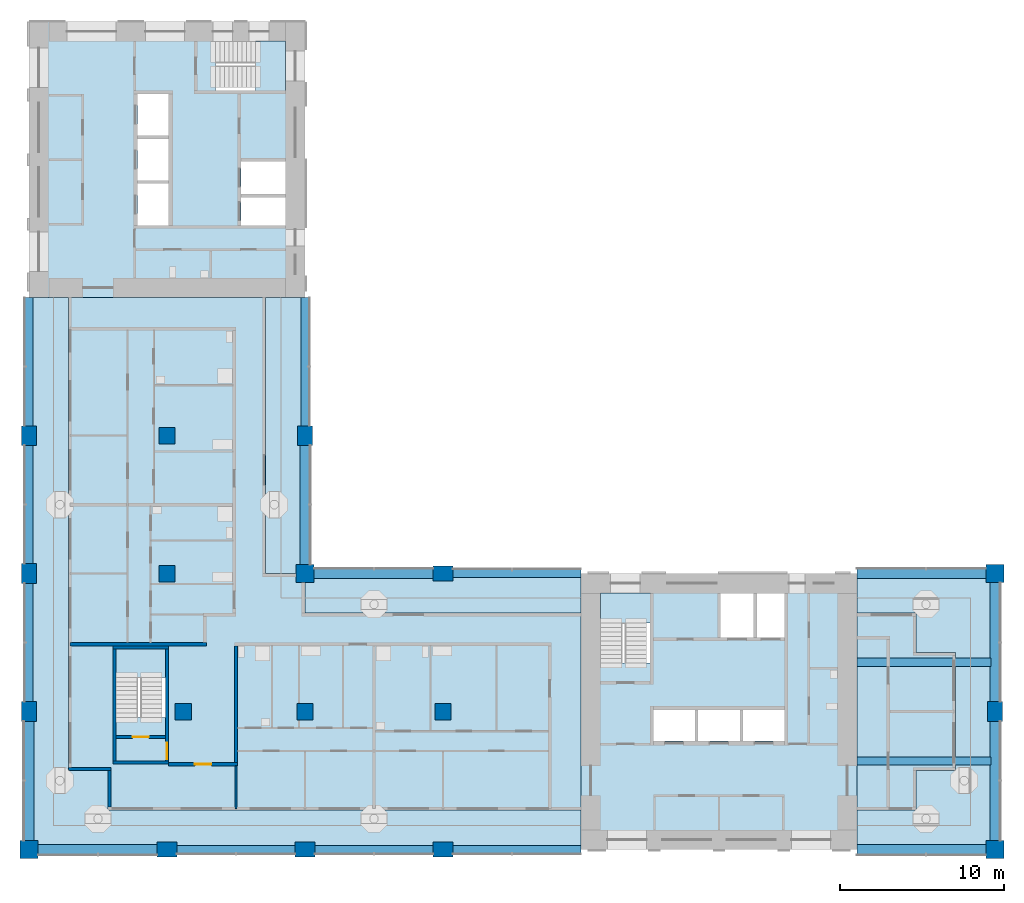
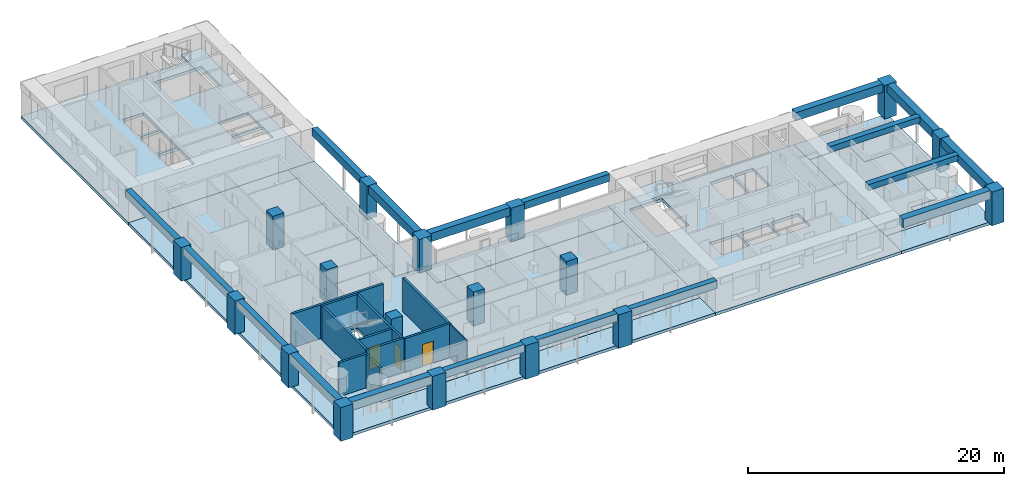
# One storey, part 1 of 13: 18 beams, 18 columns, 12 slabs, 11 walls, 3 doors, 3 openings, 3 elements without a shape of their own.
"""IFC4 building model written with IfcOpenShell, lengths in metres."""

import ifcopenshell
import ifcopenshell.guid

model = None  # the IFC model being written
_history = None  # IfcOwnerHistory: only IFC2X3 demands one
_inside = {}  # id of a spatial element -> (the spatial element, [elements in it])
_under = {}  # id of a project, library or spatial element -> (it, [spatial elements below it])
_declared = {}  # id of a project -> (the project, [libraries it declares])
_typed = {}  # id of a type object -> (the type object, [elements of that type])
_made_of = {}  # id of a material, layer set ... -> (it, [elements and type objects made of it])


def new_model(schema):
    """Start an empty IFC model of exactly this schema.

    Asked for "IFC4X3", IfcOpenShell would pick the latest addendum, in which some entities
    have other attributes; the version numbers below select the first issue.
    IFC2X3 requires an IfcOwnerHistory on every rooted entity: one is made here for all.
    """
    global model, _history
    if schema == "IFC4X3":
        model = ifcopenshell.file(schema_version=(4, 3, 0, 0))
    else:
        model = ifcopenshell.file(schema=schema)
    _inside.clear()
    _under.clear()
    _declared.clear()
    _typed.clear()
    _made_of.clear()
    _history = None
    if model.schema == "IFC2X3":
        org = make("IfcOrganization", Name="unknown")
        user = make(
            "IfcPersonAndOrganization",
            ThePerson=make("IfcPerson", FamilyName="unknown"),
            TheOrganization=org,
        )
        app = make(
            "IfcApplication",
            ApplicationDeveloper=org,
            Version="unknown",
            ApplicationFullName="unknown",
            ApplicationIdentifier="unknown",
        )
        _history = make(
            "IfcOwnerHistory",
            OwningUser=user,
            OwningApplication=app,
            ChangeAction="ADDED",
            CreationDate=0,
        )
    return model


def make(cls, **values):
    """One entity of the class cls with the attributes given. An attribute that is None is left unset."""
    return model.create_entity(
        cls, **{name: value for name, value in values.items() if value is not None}
    )


def rooted(cls, **values):
    """An entity with a GlobalId (a new one), such as an element, a storey or a relation."""
    return make(cls, GlobalId=ifcopenshell.guid.new(), OwnerHistory=_history, **values)


def si_unit(unit_type, name, prefix=None):
    """IfcSIUnit, for example si_unit("LENGTHUNIT", "METRE", prefix="MILLI")."""
    return make("IfcSIUnit", UnitType=unit_type, Prefix=prefix, Name=name)


def assignment(units):
    """IfcUnitAssignment: the units of a project."""
    return None if units is None else make("IfcUnitAssignment", Units=units)


def point(xyz):
    """IfcCartesianPoint."""
    return None if xyz is None else make("IfcCartesianPoint", Coordinates=xyz)


def direction(xyz):
    """IfcDirection."""
    return None if xyz is None else make("IfcDirection", DirectionRatios=xyz)


def frame(location, z_axis=None, x_axis=None):
    """IfcAxis2Placement3D, a coordinate frame: its origin and axes. An axis left out is left unset."""
    return make(
        "IfcAxis2Placement3D",
        Location=point(location),
        Axis=direction(z_axis),
        RefDirection=direction(x_axis),
    )


def frame_2d(location, x_axis=None):
    """IfcAxis2Placement2D, a coordinate frame in the plane: its origin and x axis."""
    return make(
        "IfcAxis2Placement2D", Location=point(location), RefDirection=direction(x_axis)
    )


def origin():
    """The frame at (0, 0, 0) with its axes left unset."""
    return frame((0.0, 0.0, 0.0))


def origin_2d():
    """The frame at (0, 0) in the plane with its x axis left unset."""
    return frame_2d((0.0, 0.0))


def place(relative_to, where):
    """IfcLocalPlacement: puts the frame where relative to a parent placement (None: the world)."""
    return make(
        "IfcLocalPlacement", PlacementRelTo=relative_to, RelativePlacement=where
    )


def context(
    kind, dimensions, precision=None, world=None, true_north=None, identifier=None
):
    """IfcGeometricRepresentationContext, for example the 3D "Model" context."""
    return make(
        "IfcGeometricRepresentationContext",
        ContextIdentifier=identifier,
        ContextType=kind,
        CoordinateSpaceDimension=dimensions,
        Precision=precision,
        WorldCoordinateSystem=world,
        TrueNorth=true_north,
    )


def subcontext(parent, identifier, kind, view, scale=None):
    """IfcGeometricRepresentationSubContext, for example "Body" below "Model"."""
    return make(
        "IfcGeometricRepresentationSubContext",
        ContextIdentifier=identifier,
        ContextType=kind,
        ParentContext=parent,
        TargetScale=scale,
        TargetView=view,
    )


def project(units=None, contexts=None):
    """IfcProject with its units and contexts."""
    return rooted(
        "IfcProject",
        Name="project",
        RepresentationContexts=contexts,
        UnitsInContext=assignment(units),
    )


def spatial(cls, under=None, at=None, **own):
    """A site, building, storey or space (cls), placed at a placement, below another one or the project."""
    s = rooted(cls, ObjectPlacement=at, **own)
    if under is not None:
        _under.setdefault(under.id(), (under, []))[1].append(s)
    return s


def polyline(points):
    """IfcPolyline through the points."""
    return make("IfcPolyline", Points=[point(p) for p in points])


def profile(cls, at=None, kind="AREA", **sizes):
    """A parametric profile (cls). Its sizes go by their IFC names, for example OverallWidth=200.0."""
    return make(cls, ProfileType=kind, Position=at, **sizes)


def rectangle(**sizes):
    """IfcRectangleProfileDef."""
    return profile("IfcRectangleProfileDef", **sizes)


def outline(outer, holes=None, kind="AREA"):
    """IfcArbitraryClosedProfileDef: a profile drawn as a closed curve; with holes, ...WithVoids."""
    if holes is None:
        return make("IfcArbitraryClosedProfileDef", ProfileType=kind, OuterCurve=outer)
    return make(
        "IfcArbitraryProfileDefWithVoids",
        ProfileType=kind,
        OuterCurve=outer,
        InnerCurves=holes,
    )


def extrude(swept, where, along, depth):
    """IfcExtrudedAreaSolid: the profile swept, set in the frame where, extruded along a direction by depth."""
    return make(
        "IfcExtrudedAreaSolid",
        SweptArea=swept,
        Position=where,
        ExtrudedDirection=direction(along),
        Depth=depth,
    )


def shape(context_of_items, identifier, shape_type, items):
    """IfcShapeRepresentation: the items that make up one representation, for example the "Body"."""
    return make(
        "IfcShapeRepresentation",
        ContextOfItems=context_of_items,
        RepresentationIdentifier=identifier,
        RepresentationType=shape_type,
        Items=items,
    )


def material(Name=None, Category=None):
    """IfcMaterial."""
    return make("IfcMaterial", Name=Name, Category=Category)


def layer(
    of_material, thickness, ventilated=None, Name=None, Category=None, Priority=None
):
    """IfcMaterialLayer: one layer of a wall or slab, of a material (None: an air gap)."""
    return make(
        "IfcMaterialLayer",
        Material=of_material,
        LayerThickness=thickness,
        IsVentilated=ventilated,
        Name=Name,
        Category=Category,
        Priority=Priority,
    )


def layer_set(layers, Name=None):
    """IfcMaterialLayerSet."""
    return make("IfcMaterialLayerSet", MaterialLayers=layers, LayerSetName=Name)


def material_profile(
    of_material, cross_section, Name=None, Category=None, Priority=None
):
    """IfcMaterialProfile: a cross section and its material."""
    return make(
        "IfcMaterialProfile",
        Name=Name,
        Material=of_material,
        Profile=cross_section,
        Priority=Priority,
        Category=Category,
    )


def profile_set(profiles, Name=None, composite=None):
    """IfcMaterialProfileSet."""
    return make(
        "IfcMaterialProfileSet",
        Name=Name,
        MaterialProfiles=profiles,
        CompositeProfile=composite,
    )


def made_of(thing, what):
    """Note that an element or type object is made of a material, layer set ...; save() writes the relation."""
    if what is not None:
        _made_of.setdefault(what.id(), (what, []))[1].append(thing)
    return thing


def type_object(cls, material=None, **own):
    """A type object (cls), such as IfcWallType, which elements share."""
    return made_of(rooted(cls, **own), material)


def element(
    cls,
    number,
    at=None,
    inside=None,
    cuts=None,
    type_object=None,
    material=None,
    context=None,
    identifier="Body",
    shape_type=None,
    held_by="IfcProductDefinitionShape",
    body=None,
    shapes=None,
    **own,
):
    """One element of the class cls, such as IfcWall. Its Tag is "e" and its number.

    at: its placement. inside: the storey or other place that contains it. cuts: it is an
    opening in that element (IfcRelVoidsElement). A single representation is given by context,
    identifier, shape_type and body (its items); several are given by shapes. held_by: the class
    of the entity that holds the representations. save() writes the other relations.
    """
    e = rooted(cls, Tag="e%d" % number, ObjectPlacement=at, **own)
    if body is not None:
        shapes = [shape(context, identifier, shape_type, body)]
    if shapes is not None:
        e.Representation = make(held_by, Representations=shapes)
    if inside is not None:
        _inside.setdefault(inside.id(), (inside, []))[1].append(e)
    if cuts is not None:
        rooted(
            "IfcRelVoidsElement", RelatingBuildingElement=cuts, RelatedOpeningElement=e
        )
    if type_object is not None:
        _typed.setdefault(type_object.id(), (type_object, []))[1].append(e)
    return made_of(e, material)


def fill(opening, filler):
    """IfcRelFillsElement: the door or window that sits in an opening."""
    return rooted(
        "IfcRelFillsElement",
        RelatingOpeningElement=opening,
        RelatedBuildingElement=filler,
    )


def aggregate(whole, parts):
    """IfcRelAggregates: a whole, such as a stair, and the parts it consists of."""
    return rooted("IfcRelAggregates", RelatingObject=whole, RelatedObjects=parts)


def save(model, path):
    """Write the relations noted so far, then the file.

    IfcRelAggregates (storeys below a building ...), IfcRelContainedInSpatialStructure (elements
    in a storey), IfcRelDefinesByType, IfcRelAssociatesMaterial and IfcRelDeclares: one each for
    every whole, place, type object, material and project.
    """
    for whole, parts in _under.values():
        aggregate(whole, parts)
    for where, things in _inside.values():
        rooted(
            "IfcRelContainedInSpatialStructure",
            RelatedElements=things,
            RelatingStructure=where,
        )
    for kind, things in _typed.values():
        rooted("IfcRelDefinesByType", RelatedObjects=things, RelatingType=kind)
    for what, things in _made_of.values():
        rooted("IfcRelAssociatesMaterial", RelatedObjects=things, RelatingMaterial=what)
    for by, libraries in _declared.values():
        rooted("IfcRelDeclares", RelatingContext=by, RelatedDefinitions=libraries)
    model.write(path)


model = new_model("IFC4")

# Units and contexts
model_context = context("Model", 3, precision=1e-05, world=origin(), true_north=direction((0.0, 1.0)))
body_context = subcontext(model_context, "Body", "Model", "MODEL_VIEW")
ifc_project = project(units=[si_unit("LENGTHUNIT", "METRE"), si_unit("AREAUNIT", "SQUARE_METRE"), si_unit("VOLUMEUNIT", "CUBIC_METRE"), si_unit("PLANEANGLEUNIT", "RADIAN"), si_unit("MASSUNIT", "GRAM", prefix="KILO")], contexts=[model_context])

# Site, building, storey
site_placement = place(None, origin())
site = spatial("IfcSite", under=ifc_project, at=site_placement, CompositionType="ELEMENT")
building_placement = place(site_placement, origin())
building = spatial("IfcBuilding", under=site, at=building_placement, Name="Vermilion Gate Residences", CompositionType="ELEMENT")
storey_placement = place(building_placement, frame((0.0, 0.0, 186.199951171875)))
storey = spatial("IfcBuildingStorey", under=building, at=storey_placement, Name="L48", CompositionType="ELEMENT", Elevation=186.199951171875)

# Columns
ifc_material_1 = material(Name="Concrete C60", Category="concrete")
ifc_material_profile_1 = material_profile(ifc_material_1, rectangle(XDim=1.0, YDim=1.0, at=origin_2d()), Name="RC-1000x1000")
ifc_profile_set_1 = profile_set([ifc_material_profile_1], Name="Concrete C60")
column_type_1 = type_object("IfcColumnType", Name="RC COLUMN 1000 X 1000 C60", PredefinedType="COLUMN", material=ifc_profile_set_1)
for number, where, z_axis, x_axis, name in (
    (1, (17.800048828125, 16.800048828125, 0.0), (0.0, 0.0, 1.0), (1.0, 0.0, 0.0), "Column 3-C L48"),
    (2, (16.800048828125, 25.199951171875, 0.0), (0.0, 0.0, 1.0), (1.0, 0.0, 0.0), "Column 3-D L48"),
    (3, (16.800048828125, 33.60009765625, 0.0), (0.0, 0.0, 1.0), (1.0, 0.0, 0.0), "Column 3-E L48"),
    (4, (25.199951171875, 16.800048828125, 0.0), (0.0, 0.0, 1.0), (1.0, 0.0, 0.0), "Column 4-C L48"),
    (5, (33.60009765625, 16.800048828125, 0.0), (0.0, 0.0, 1.0), (1.0, 0.0, 0.0), "Column 5-C L48"),
):
    element("IfcColumn", number, at=place(storey_placement, frame(where, z_axis=z_axis, x_axis=x_axis)), inside=storey, type_object=column_type_1, Name=name, PredefinedType="COLUMN", context=body_context, shape_type="SweptSolid", body=[
        extrude(rectangle(XDim=1.0, YDim=1.0, at=origin_2d()), origin(), (0.0, 0.0, 1.0), 3.219970703125),
    ])
ifc_material_2 = material(Name="Concrete C60", Category="concrete")
ifc_material_profile_2 = material_profile(ifc_material_2, rectangle(XDim=1.10009765625, YDim=1.10009765625, at=origin_2d()), Name="RC-1100x1100")
ifc_profile_set_2 = profile_set([ifc_material_profile_2], Name="Concrete C60")
column_type_2 = type_object("IfcColumnType", Name="RC COLUMN 1100 X 1100 C60", PredefinedType="COLUMN", material=ifc_profile_set_2)
for number, where, z_axis, x_axis, name in (
    (6, (8.39990234375, 8.39990234375, 0.0), (0.0, 0.0, 1.0), (1.0, 0.0, 0.0), "Column 2-B L48"),
    (7, (25.199951171875, 25.199951171875, 0.0), (0.0, 0.0, 1.0), (1.0, 0.0, 0.0), "Column 4-D L48"),
    (8, (67.199951171875, 8.39990234375, 0.0), (0.0, 0.0, 1.0), (1.0, 0.0, 0.0), "Column 9-B L48"),
    (9, (67.199951171875, 25.199951171875, 0.0), (0.0, 0.0, 1.0), (1.0, 0.0, 0.0), "Column 9-D L48"),
):
    element("IfcColumn", number, at=place(storey_placement, frame(where, z_axis=z_axis, x_axis=x_axis)), inside=storey, type_object=column_type_2, Name=name, PredefinedType="COLUMN", context=body_context, shape_type="SweptSolid", body=[
        extrude(rectangle(XDim=1.10009765625, YDim=1.10009765625, at=origin_2d()), origin(), (0.0, 0.0, 1.0), 3.219970703125),
    ])
ifc_material_3 = material(Name="Concrete C60", Category="concrete")
ifc_material_profile_3 = material_profile(ifc_material_3, rectangle(XDim=1.199951171875, YDim=0.89990234375, at=origin_2d()), Name="RC-1200x900")
ifc_profile_set_3 = profile_set([ifc_material_profile_3], Name="Concrete C60")
column_type_3 = type_object("IfcColumnType", Name="RC COLUMN 1200 X 900 C60", PredefinedType="COLUMN", material=ifc_profile_set_3)
for number, where, z_axis, x_axis, name in (
    (10, (8.39990234375, 16.800048828125, 0.0), (0.0, 0.0, 1.0), (0.0, 1.0, 0.0), "Column 2-C L48"),
    (11, (8.39990234375, 25.199951171875, 0.0), (0.0, 0.0, 1.0), (0.0, 1.0, 0.0), "Column 2-D L48"),
    (12, (8.39990234375, 33.60009765625, 0.0), (0.0, 0.0, 1.0), (0.0, 1.0, 0.0), "Column 2-E L48"),
    (13, (16.800048828125, 8.39990234375, 0.0), (0.0, 0.0, 1.0), (1.0, 0.0, 0.0), "Column 3-B L48"),
    (14, (25.199951171875, 8.39990234375, 0.0), (0.0, 0.0, 1.0), (1.0, 0.0, 0.0), "Column 4-B L48"),
    (15, (25.199951171875, 33.60009765625, 0.0), (0.0, 0.0, 1.0), (0.0, 1.0, 0.0), "Column 4-E L48"),
    (16, (33.60009765625, 8.39990234375, 0.0), (0.0, 0.0, 1.0), (1.0, 0.0, 0.0), "Column 5-B L48"),
    (17, (33.60009765625, 25.199951171875, 0.0), (0.0, 0.0, 1.0), (1.0, 0.0, 0.0), "Column 5-D L48"),
    (18, (67.199951171875, 16.800048828125, 0.0), (0.0, 0.0, 1.0), (0.0, 1.0, 0.0), "Column 9-C L48"),
):
    element("IfcColumn", number, at=place(storey_placement, frame(where, z_axis=z_axis, x_axis=x_axis)), inside=storey, type_object=column_type_3, Name=name, PredefinedType="COLUMN", context=body_context, shape_type="SweptSolid", body=[
        extrude(rectangle(XDim=1.199951171875, YDim=0.89990234375, at=origin_2d()), origin(), (0.0, 0.0, 1.0), 3.219970703125),
    ])

# Beams
ifc_material_4 = material(Name="Concrete C60 red-oxide pigmented", Category="concrete")
ifc_material_profile_4 = material_profile(ifc_material_4, rectangle(XDim=0.60009765625, YDim=0.800048828125, at=origin_2d()), Name="RC-600x800")
ifc_profile_set_4 = profile_set([ifc_material_profile_4], Name="Concrete C60 red-oxide pigmented")
beam_type_1 = type_object("IfcBeamType", Name="RC CORNER EDGE BEAM 600 X 800 C60", PredefinedType="BEAM", material=ifc_profile_set_4)
for number, where, z_axis, x_axis, name in (
    (19, (8.949951171875, 8.39990234375, 2.820068359375), (1.0, 0.0, 0.0), (0.0, 1.0, 0.0), "Corner edge beam L48 1"),
    (20, (8.39990234375, 8.949951171875, 2.820068359375), (0.0, 1.0, 0.0), (-1.0, 0.0, 0.0), "Corner edge beam L48 2"),
    (21, (25.199951171875, 25.75, 2.820068359375), (0.0, 1.0, 0.0), (-1.0, 0.0, 0.0), "Corner edge beam L48 7"),
    (22, (25.75, 25.199951171875, 2.820068359375), (1.0, 0.0, 0.0), (0.0, 1.0, 0.0), "Corner edge beam L48 10"),
):
    element("IfcBeam", number, at=place(storey_placement, frame(where, z_axis=z_axis, x_axis=x_axis)), inside=storey, type_object=beam_type_1, Name=name, PredefinedType="BEAM", context=body_context, shape_type="SweptSolid", body=[
        extrude(rectangle(XDim=0.60009765625, YDim=0.800048828125, at=origin_2d()), origin(), (0.0, 0.0, 1.0), 7.25),
    ])
beam_1_placement = place(storey_placement, frame((58.800048828125, 8.39990234375, 2.820068359375), z_axis=(1.0, 0.0, 0.0), x_axis=(0.0, 1.0, 0.0)))
element("IfcBeam", 23, at=beam_1_placement, inside=storey, type_object=beam_type_1, Name="Corner edge beam L48 13", PredefinedType="BEAM", context=body_context, shape_type="SweptSolid", body=[
    extrude(rectangle(XDim=0.60009765625, YDim=0.800048828125, at=origin_2d()), origin(), (0.0, 0.0, 1.0), 7.849853515625),
])
for number, where, z_axis, x_axis, name in (
    (24, (67.199951171875, 8.949951171875, 2.820068359375), (0.0, 1.0, 0.0), (-1.0, 0.0, 0.0), "Corner edge beam L48 14"),
    (25, (67.199951171875, 17.39990234375, 2.820068359375), (0.0, 1.0, 0.0), (-1.0, 0.0, 0.0), "Corner edge beam L48 15"),
):
    element("IfcBeam", number, at=place(storey_placement, frame(where, z_axis=z_axis, x_axis=x_axis)), inside=storey, type_object=beam_type_1, Name=name, PredefinedType="BEAM", context=body_context, shape_type="SweptSolid", body=[
        extrude(rectangle(XDim=0.60009765625, YDim=0.800048828125, at=origin_2d()), origin(), (0.0, 0.0, 1.0), 7.25),
    ])
beam_2_placement = place(storey_placement, frame((58.800048828125, 25.199951171875, 2.820068359375), z_axis=(1.0, 0.0, 0.0), x_axis=(0.0, 1.0, 0.0)))
element("IfcBeam", 26, at=beam_2_placement, inside=storey, type_object=beam_type_1, Name="Corner edge beam L48 16", PredefinedType="BEAM", context=body_context, shape_type="SweptSolid", body=[
    extrude(rectangle(XDim=0.60009765625, YDim=0.800048828125, at=origin_2d()), origin(), (0.0, 0.0, 1.0), 7.849853515625),
])
ifc_material_5 = material(Name="Concrete C60 red-oxide pigmented", Category="concrete")
ifc_material_profile_5 = material_profile(ifc_material_5, rectangle(XDim=0.5, YDim=0.699951171875, at=origin_2d()), Name="RC-500x700")
ifc_profile_set_5 = profile_set([ifc_material_profile_5], Name="Concrete C60 red-oxide pigmented")
beam_type_2 = type_object("IfcBeamType", Name="RC EDGE BEAM 500 X 700 C60", PredefinedType="BEAM", material=ifc_profile_set_5)
beam_3_placement = place(storey_placement, frame((8.39990234375, 17.39990234375, 2.8701171875), z_axis=(0.0, 1.0, 0.0), x_axis=(-1.0, 0.0, 0.0)))
element("IfcBeam", 27, at=beam_3_placement, inside=storey, type_object=beam_type_2, Name="Edge beam L48 3", PredefinedType="BEAM", context=body_context, shape_type="SweptSolid", body=[
    extrude(rectangle(XDim=0.5, YDim=0.699951171875, at=origin_2d()), origin(), (0.0, 0.0, 1.0), 7.2001953125),
])
beam_4_placement = place(storey_placement, frame((8.39990234375, 25.800048828125, 2.8701171875), z_axis=(0.0, 1.0, 0.0), x_axis=(-1.0, 0.0, 0.0)))
element("IfcBeam", 28, at=beam_4_placement, inside=storey, type_object=beam_type_2, Name="Edge beam L48 4", PredefinedType="BEAM", context=body_context, shape_type="SweptSolid", body=[
    extrude(rectangle(XDim=0.5, YDim=0.699951171875, at=origin_2d()), origin(), (0.0, 0.0, 1.0), 7.199951171875),
])
beam_5_placement = place(storey_placement, frame((8.39990234375, 34.199951171875, 2.8701171875), z_axis=(0.0, 1.0, 0.0), x_axis=(-1.0, 0.0, 0.0)))
element("IfcBeam", 29, at=beam_5_placement, inside=storey, type_object=beam_type_2, Name="Edge beam L48 5", PredefinedType="BEAM", context=body_context, shape_type="SweptSolid", body=[
    extrude(rectangle(XDim=0.5, YDim=0.699951171875, at=origin_2d()), origin(), (0.0, 0.0, 1.0), 7.800048828125),
])
beam_6_placement = place(storey_placement, frame((17.39990234375, 8.39990234375, 2.8701171875), z_axis=(1.0, 0.0, 0.0), x_axis=(0.0, 1.0, 0.0)))
element("IfcBeam", 30, at=beam_6_placement, inside=storey, type_object=beam_type_2, Name="Edge beam L48 6", PredefinedType="BEAM", context=body_context, shape_type="SweptSolid", body=[
    extrude(rectangle(XDim=0.5, YDim=0.699951171875, at=origin_2d()), origin(), (0.0, 0.0, 1.0), 7.2001953125),
])
beam_7_placement = place(storey_placement, frame((25.199951171875, 34.199951171875, 2.8701171875), z_axis=(0.0, 1.0, 0.0), x_axis=(-1.0, 0.0, 0.0)))
element("IfcBeam", 31, at=beam_7_placement, inside=storey, type_object=beam_type_2, Name="Edge beam L48 8", PredefinedType="BEAM", context=body_context, shape_type="SweptSolid", body=[
    extrude(rectangle(XDim=0.5, YDim=0.699951171875, at=origin_2d()), origin(), (0.0, 0.0, 1.0), 7.800048828125),
])
beam_8_placement = place(storey_placement, frame((25.800048828125, 8.39990234375, 2.8701171875), z_axis=(1.0, 0.0, 0.0), x_axis=(0.0, 1.0, 0.0)))
element("IfcBeam", 32, at=beam_8_placement, inside=storey, type_object=beam_type_2, Name="Edge beam L48 9", PredefinedType="BEAM", context=body_context, shape_type="SweptSolid", body=[
    extrude(rectangle(XDim=0.5, YDim=0.699951171875, at=origin_2d()), origin(), (0.0, 0.0, 1.0), 7.199951171875),
])
for number, where, z_axis, x_axis, name in (
    (33, (34.199951171875, 8.39990234375, 2.8701171875), (1.0, 0.0, 0.0), (0.0, 1.0, 0.0), "Edge beam L48 11"),
    (34, (34.199951171875, 25.199951171875, 2.8701171875), (1.0, 0.0, 0.0), (0.0, 1.0, 0.0), "Edge beam L48 12"),
):
    element("IfcBeam", number, at=place(storey_placement, frame(where, z_axis=z_axis, x_axis=x_axis)), inside=storey, type_object=beam_type_2, Name=name, PredefinedType="BEAM", context=body_context, shape_type="SweptSolid", body=[
        extrude(rectangle(XDim=0.5, YDim=0.699951171875, at=origin_2d()), origin(), (0.0, 0.0, 1.0), 7.800048828125),
    ])
ifc_material_6 = material(Name="Concrete C60", Category="concrete")
ifc_material_profile_6 = material_profile(ifc_material_6, rectangle(XDim=0.5, YDim=0.550048828125, at=origin_2d()), Name="RC-500x550")
ifc_profile_set_6 = profile_set([ifc_material_profile_6], Name="Concrete C60")
beam_type_3 = type_object("IfcBeamType", Name="RC WING BEAM 500 X 550 C60", PredefinedType="BEAM", material=ifc_profile_set_6)
for number, where, z_axis, x_axis, name in (
    (35, (58.800048828125, 13.800048828125, 2.945068359375), (1.0, 0.0, 0.0), (0.0, 1.0, 0.0), "Wing-end beam L48 1"),
    (36, (58.800048828125, 19.800048828125, 2.945068359375), (1.0, 0.0, 0.0), (0.0, 1.0, 0.0), "Wing-end beam L48 2"),
):
    element("IfcBeam", number, at=place(storey_placement, frame(where, z_axis=z_axis, x_axis=x_axis)), inside=storey, type_object=beam_type_3, Name=name, PredefinedType="BEAM", context=body_context, shape_type="SweptSolid", body=[
        extrude(rectangle(XDim=0.5, YDim=0.550048828125, at=origin_2d()), origin(), (0.0, 0.0, 1.0), 8.14990234375),
    ])

# Slabs
ifc_material_7 = material(Name="Concrete C50", Category="concrete")
ifc_layer_1 = layer(ifc_material_7, 0.280029296875)
ifc_layer_set_1 = layer_set([ifc_layer_1], Name="RC CORE FLOOR SLAB 280 C50")
slab_type_1 = type_object("IfcSlabType", Name="RC CORE FLOOR SLAB 280 C50", PredefinedType="FLOOR", material=ifc_layer_set_1)
slab_1_placement = place(storey_placement, frame((0.0, 0.0, -0.280029296875)))
element("IfcSlab", 37, at=slab_1_placement, inside=storey, type_object=slab_type_1, Name="Core floor slab A48", PredefinedType="FLOOR", context=body_context, shape_type="SweptSolid", body=[
    extrude(outline(polyline([(42.0, 8.39990234375), (58.800048828125, 8.39990234375), (58.800048828125, 25.199951171875), (42.0, 25.199951171875), (42.0, 8.39990234375)]), holes=[polyline([(46.39990234375, 15.0), (46.39990234375, 16.89990234375), (48.933349609375, 16.89990234375), (48.933349609375, 15.0), (46.39990234375, 15.0)]), polyline([(49.13330078125, 16.89990234375), (51.666748046875, 16.89990234375), (51.666748046875, 15.0), (49.13330078125, 15.0), (49.13330078125, 16.89990234375)]), polyline([(51.86669921875, 16.89990234375), (54.39990234375, 16.89990234375), (54.39990234375, 15.0), (51.86669921875, 15.0), (51.86669921875, 16.89990234375)]), polyline([(43.199951171875, 19.75), (43.199951171875, 24.0), (46.199951171875, 24.0), (46.199951171875, 19.75), (43.199951171875, 19.75)]), polyline([(50.5, 24.0), (52.5, 24.0), (52.5, 21.300048828125), (50.5, 21.300048828125), (50.5, 24.0)]), polyline([(52.699951171875, 24.0), (54.39990234375, 24.0), (54.39990234375, 21.300048828125), (52.699951171875, 21.300048828125), (52.699951171875, 24.0)])]), origin(), (0.0, 0.0, 1.0), 0.280029296875),
])
slab_2_placement = place(storey_placement, frame((0.0, 0.0, -0.280029296875)))
element("IfcSlab", 38, at=slab_2_placement, inside=storey, type_object=slab_type_1, Name="Core floor slab B48", PredefinedType="FLOOR", context=body_context, shape_type="SweptSolid", body=[
    extrude(outline(polyline([(8.39990234375, 42.0), (25.199951171875, 42.0), (25.199951171875, 58.800048828125), (8.39990234375, 58.800048828125), (8.39990234375, 42.0)]), holes=[polyline([(21.300048828125, 46.39990234375), (21.300048828125, 48.10009765625), (24.0, 48.10009765625), (24.0, 46.39990234375), (21.300048828125, 46.39990234375)]), polyline([(15.0, 48.933349609375), (16.89990234375, 48.933349609375), (16.89990234375, 46.39990234375), (15.0, 46.39990234375), (15.0, 48.933349609375)]), polyline([(21.300048828125, 50.300048828125), (24.0, 50.300048828125), (24.0, 48.300048828125), (21.300048828125, 48.300048828125), (21.300048828125, 50.300048828125)]), polyline([(15.0, 49.13330078125), (15.0, 51.666748046875), (16.89990234375, 51.666748046875), (16.89990234375, 49.13330078125), (15.0, 49.13330078125)]), polyline([(15.0, 54.39990234375), (16.89990234375, 54.39990234375), (16.89990234375, 51.86669921875), (15.0, 51.86669921875), (15.0, 54.39990234375)]), polyline([(19.75, 57.60009765625), (24.0, 57.60009765625), (24.0, 54.60009765625), (19.75, 54.60009765625), (19.75, 57.60009765625)])]), origin(), (0.0, 0.0, 1.0), 0.280029296875),
])
slab_3_placement = place(storey_placement, frame((0.0, 0.0, -0.280029296875)))
element("IfcSlab", 39, at=slab_3_placement, inside=storey, type_object=slab_type_1, Name="Apex stair floor slab 48", PredefinedType="FLOOR", context=body_context, shape_type="SweptSolid", body=[
    extrude(outline(polyline([(13.5, 13.60009765625), (16.89990234375, 13.60009765625), (16.89990234375, 20.800048828125), (13.5, 20.800048828125), (13.5, 13.60009765625)]), holes=[polyline([(16.699951171875, 20.60009765625), (16.699951171875, 16.449951171875), (13.699951171875, 16.449951171875), (13.699951171875, 20.60009765625), (16.699951171875, 20.60009765625)])]), origin(), (0.0, 0.0, 1.0), 0.280029296875),
])
ifc_material_8 = material(Name="Concrete C50", Category="concrete")
ifc_layer_2 = layer(ifc_material_8, 0.280029296875)
ifc_layer_set_2 = layer_set([ifc_layer_2], Name="RC FLAT PLATE 280 C50")
slab_type_2 = type_object("IfcSlabType", Name="RC FLAT PLATE 280 C50", PredefinedType="FLOOR", material=ifc_layer_set_2)
slab_4_placement = place(storey_placement, frame((0.0, 0.0, -0.280029296875)))
element("IfcSlab", 40, at=slab_4_placement, inside=storey, type_object=slab_type_2, Name="Floor slab L48", PredefinedType="FLOOR", context=body_context, shape_type="SweptSolid", body=[
    extrude(outline(polyline([(22.800048828125, 25.199951171875), (22.800048828125, 42.0), (10.800048828125, 42.0), (10.800048828125, 13.199951171875), (13.199951171875, 13.199951171875), (13.199951171875, 10.800048828125), (42.0, 10.800048828125), (42.0, 22.800048828125), (25.199951171875, 22.800048828125), (25.199951171875, 25.199951171875), (22.800048828125, 25.199951171875)]), holes=[polyline([(13.5, 13.60009765625), (13.5, 20.800048828125), (16.89990234375, 20.800048828125), (16.89990234375, 13.60009765625), (13.5, 13.60009765625)])]), origin(), (0.0, 0.0, 1.0), 0.280029296875),
])
slab_5_placement = place(storey_placement, frame((0.0, 0.0, -0.280029296875)))
element("IfcSlab", 41, at=slab_5_placement, inside=storey, type_object=slab_type_2, Name="Floor slab L48", PredefinedType="FLOOR", context=body_context, shape_type="SweptSolid", body=[
    extrude(outline(polyline([(58.800048828125, 22.800048828125), (58.800048828125, 10.800048828125), (62.39990234375, 10.800048828125), (62.39990234375, 13.199951171875), (64.800048828125, 13.199951171875), (64.800048828125, 20.39990234375), (62.39990234375, 20.39990234375), (62.39990234375, 22.800048828125), (58.800048828125, 22.800048828125)])), origin(), (0.0, 0.0, 1.0), 0.280029296875),
])
ifc_material_9 = material(Name="Concrete C50 red-oxide pigmented", Category="concrete")
ifc_layer_3 = layer(ifc_material_9, 0.280029296875)
ifc_layer_set_3 = layer_set([ifc_layer_3], Name="RC LOGGIA SLAB 280 C50")
slab_type_3 = type_object("IfcSlabType", Name="RC LOGGIA SLAB 280 C50", PredefinedType="FLOOR", material=ifc_layer_set_3)
slab_6_placement = place(storey_placement, frame((0.0, 0.0, -0.280029296875)))
element("IfcSlab", 42, at=slab_6_placement, inside=storey, type_object=slab_type_3, Name="Loggia slab L48", PredefinedType="FLOOR", context=body_context, shape_type="SweptSolid", body=[
    extrude(outline(polyline([(8.39990234375, 42.0), (8.39990234375, 8.39990234375), (42.0, 8.39990234375), (42.0, 10.800048828125), (13.199951171875, 10.800048828125), (13.199951171875, 13.199951171875), (10.800048828125, 13.199951171875), (10.800048828125, 42.0), (8.39990234375, 42.0)])), origin(), (0.0, 0.0, 1.0), 0.280029296875),
])
slab_7_placement = place(storey_placement, frame((0.0, 0.0, -0.280029296875)))
element("IfcSlab", 43, at=slab_7_placement, inside=storey, type_object=slab_type_3, Name="Loggia slab L48", PredefinedType="FLOOR", context=body_context, shape_type="SweptSolid", body=[
    extrude(outline(polyline([(64.800048828125, 13.199951171875), (62.39990234375, 13.199951171875), (62.39990234375, 10.800048828125), (58.800048828125, 10.800048828125), (58.800048828125, 8.39990234375), (67.199951171875, 8.39990234375), (67.199951171875, 25.199951171875), (58.800048828125, 25.199951171875), (58.800048828125, 22.800048828125), (62.39990234375, 22.800048828125), (62.39990234375, 20.39990234375), (64.800048828125, 20.39990234375), (64.800048828125, 13.199951171875)])), origin(), (0.0, 0.0, 1.0), 0.280029296875),
])
slab_8_placement = place(storey_placement, frame((0.0, 0.0, -0.280029296875)))
element("IfcSlab", 44, at=slab_8_placement, inside=storey, type_object=slab_type_3, Name="Loggia slab L48", PredefinedType="FLOOR", context=body_context, shape_type="SweptSolid", body=[
    extrude(outline(polyline([(42.0, 25.199951171875), (25.199951171875, 25.199951171875), (25.199951171875, 22.800048828125), (42.0, 22.800048828125), (42.0, 25.199951171875)])), origin(), (0.0, 0.0, 1.0), 0.280029296875),
])
slab_9_placement = place(storey_placement, frame((0.0, 0.0, -0.280029296875)))
element("IfcSlab", 45, at=slab_9_placement, inside=storey, type_object=slab_type_3, Name="Loggia slab L48", PredefinedType="FLOOR", context=body_context, shape_type="SweptSolid", body=[
    extrude(outline(polyline([(22.800048828125, 42.0), (22.800048828125, 25.199951171875), (25.199951171875, 25.199951171875), (25.199951171875, 42.0), (22.800048828125, 42.0)])), origin(), (0.0, 0.0, 1.0), 0.280029296875),
])

# Stair, slab
ifc_material_10 = material(Name="Concrete C50", Category="concrete")
stair_type = type_object("IfcStairType", Name="SPECIAL ESCAPE STAIR 1300", PredefinedType="HALF_TURN_STAIR", material=ifc_material_10)
stair_1_placement = place(storey_placement, origin())
stair_1 = element("IfcStair", 46, at=stair_1_placement, inside=storey, type_object=stair_type, Name="Special escape stair STA1-48", PredefinedType="HALF_TURN_STAIR")
ifc_material_11 = material(Name="Concrete C50", Category="concrete")
ifc_layer_4 = layer(ifc_material_11, 0.199951171875)
ifc_layer_set_4 = layer_set([ifc_layer_4], Name="STAIR LANDING 200 C50")
slab_type_4 = type_object("IfcSlabType", Name="STAIR LANDING 200 C50", PredefinedType="LANDING", material=ifc_layer_set_4)
slab_10_placement = place(storey_placement, frame((0.0, 0.0, 1.550048828125)))
slab_10 = element("IfcSlab", 47, at=slab_10_placement, type_object=slab_type_4, Name="STA1-48 landing 1", PredefinedType="LANDING", context=body_context, shape_type="SweptSolid", body=[
    extrude(outline(polyline([(46.219970703125, 22.179931640625), (46.219970703125, 24.02001953125), (43.179931640625, 24.02001953125), (43.179931640625, 22.179931640625), (46.219970703125, 22.179931640625)])), origin(), (0.0, 0.0, 1.0), 0.199951171875),
])
aggregate(stair_1, [slab_10])

stair_2_placement = place(storey_placement, origin())
stair_2 = element("IfcStair", 48, at=stair_2_placement, inside=storey, type_object=stair_type, Name="Special escape stair STB1-48", PredefinedType="HALF_TURN_STAIR")
slab_11_placement = place(storey_placement, frame((0.0, 0.0, 1.550048828125)))
slab_11 = element("IfcSlab", 49, at=slab_11_placement, type_object=slab_type_4, Name="STB1-48 landing 1", PredefinedType="LANDING", context=body_context, shape_type="SweptSolid", body=[
    extrude(outline(polyline([(24.02001953125, 54.580078125), (24.02001953125, 57.6201171875), (22.179931640625, 57.6201171875), (22.179931640625, 54.580078125), (24.02001953125, 54.580078125)])), origin(), (0.0, 0.0, 1.0), 0.199951171875),
])
aggregate(stair_2, [slab_11])

stair_3_placement = place(storey_placement, origin())
stair_3 = element("IfcStair", 50, at=stair_3_placement, inside=storey, type_object=stair_type, Name="Special escape stair STC1-48", PredefinedType="HALF_TURN_STAIR")
slab_12_placement = place(storey_placement, frame((0.0, 0.0, 1.550048828125)))
slab_12 = element("IfcSlab", 51, at=slab_12_placement, type_object=slab_type_4, Name="STC1-48 landing 1", PredefinedType="LANDING", context=body_context, shape_type="SweptSolid", body=[
    extrude(outline(polyline([(16.719970703125, 18.8798828125), (16.719970703125, 20.6201171875), (13.679931640625, 20.6201171875), (13.679931640625, 18.8798828125), (16.719970703125, 18.8798828125)])), origin(), (0.0, 0.0, 1.0), 0.199951171875),
])
aggregate(stair_3, [slab_12])

# Walls
ifc_material_12 = material(Name="Insulated steel stud wall with terracotta rainscreen", Category="masonry")
ifc_layer_5 = layer(ifc_material_12, 0.199951171875)
ifc_layer_set_5 = layer_set([ifc_layer_5], Name="EXTERNAL WALL 200 TERRACOTTA RAINSCREEN")
wall_type_1 = type_object("IfcWallType", Name="EXTERNAL WALL 200 TERRACOTTA RAINSCREEN", PredefinedType="SOLIDWALL", material=ifc_layer_set_5)
wall_1_placement = place(storey_placement, frame((10.800048828125, 13.300048828125, 0.0), z_axis=(0.0, 0.0, 1.0), x_axis=(1.0, 0.0, 0.0)))
element("IfcWall", 52, at=wall_1_placement, inside=storey, type_object=wall_type_1, Name="External wall", PredefinedType="SOLIDWALL", context=body_context, shape_type="SweptSolid", body=[
    extrude(rectangle(XDim=2.599853515625, YDim=0.199951171875, at=frame_2d((1.2998046875, 0.0))), origin(), (0.0, 0.0, 1.0), 3.219970703125),
])
wall_2_placement = place(storey_placement, frame((13.300048828125, 13.199951171875, 0.0), z_axis=(0.0, 0.0, 1.0), x_axis=(0.0, -1.0, 0.0)))
element("IfcWall", 53, at=wall_2_placement, inside=storey, type_object=wall_type_1, Name="External wall", PredefinedType="SOLIDWALL", context=body_context, shape_type="SweptSolid", body=[
    extrude(rectangle(XDim=2.199951171875, YDim=0.199951171875, at=frame_2d((1.10009765625, 0.0))), origin(), (0.0, 0.0, 1.0), 3.219970703125),
])
ifc_material_13 = material(Name="Plasterboard on steel studs", Category="steel")
ifc_layer_6 = layer(ifc_material_13, 0.10009765625)
ifc_layer_set_6 = layer_set([ifc_layer_6], Name="PARTITION 100")
wall_type_2 = type_object("IfcWallType", Name="PARTITION 100", PredefinedType="PARTITIONING", material=ifc_layer_set_6)
wall_3_placement = place(storey_placement, frame((21.0, 10.89990234375, 0.0), z_axis=(0.0, 0.0, 1.0), x_axis=(0.0, 1.0, 0.0)))
element("IfcWall", 54, at=wall_3_placement, inside=storey, type_object=wall_type_2, Name="Partition", PredefinedType="PARTITIONING", context=body_context, shape_type="SweptSolid", body=[
    extrude(rectangle(XDim=2.60009765625, YDim=0.10009765625, at=frame_2d((1.300048828125, 0.0))), origin(), (0.0, 0.0, 1.0), 3.219970703125),
])

# Wall, opening, door
ifc_material_14 = material(Name="Fire-rated plasterboard on steel studs", Category="steel")
ifc_layer_7 = layer(ifc_material_14, 0.199951171875)
ifc_layer_set_7 = layer_set([ifc_layer_7], Name="PARTY WALL 200 EI 120")
wall_type_3 = type_object("IfcWallType", Name="PARTY WALL 200 EI 120", PredefinedType="PARTITIONING", material=ifc_layer_set_7)
wall_4_placement = place(storey_placement, frame((16.89990234375, 13.60009765625, 0.0), z_axis=(0.0, 0.0, 1.0), x_axis=(1.0, 0.0, 0.0)))
wall_4 = element("IfcWall", 55, at=wall_4_placement, inside=storey, type_object=wall_type_3, Name="Party and corridor wall", PredefinedType="PARTITIONING", context=body_context, shape_type="SweptSolid", body=[
    extrude(rectangle(XDim=4.2001953125, YDim=0.199951171875, at=frame_2d((2.10009765625, 0.0))), origin(), (0.0, 0.0, 1.0), 3.219970703125),
])
opening_1_placement = place(wall_4_placement, frame((1.60009765625, 0.0, 0.0)))
opening_1 = element("IfcOpeningElement", 56, at=opening_1_placement, cuts=wall_4, Name="Opening DA46001", PredefinedType="OPENING", context=body_context, shape_type="SweptSolid", body=[
    extrude(rectangle(XDim=1.0, YDim=2.10009765625, at=frame_2d((0.5, 1.050048828125))), frame((0.0, 0.10986328125, 0.0), z_axis=(0.0, -1.0, 0.0), x_axis=(1.0, 0.0, 0.0)), (0.0, 0.0, 1.0), 0.219970703125),
])
ifc_material_15 = material(Name="Steel", Category="steel")
door_type_1 = type_object("IfcDoorType", Name="ENTRANCE DOOR 1000 X 2100 FD30", OperationType="SINGLE_SWING_LEFT", PredefinedType="DOOR", material=ifc_material_15)
door_1_placement = place(opening_1_placement, frame((1.0, 0.0, 0.0), z_axis=(0.0, 0.0, 1.0), x_axis=(-1.0, 0.0, 0.0)))
door_1 = element("IfcDoor", 57, at=door_1_placement, inside=storey, type_object=door_type_1, Name="Entrance door", OperationType="SINGLE_SWING_LEFT", OverallHeight=2.10009765625, OverallWidth=1.0, PredefinedType="DOOR", context=body_context, shape_type="SweptSolid", body=[
    extrude(rectangle(XDim=1.0, YDim=2.10009765625, at=frame_2d((0.5, 1.050048828125))), frame((0.0, 0.02490234375, 0.0), z_axis=(0.0, -1.0, 0.0), x_axis=(1.0, 0.0, 0.0)), (0.0, 0.0, 1.0), 0.050048828125),
])
fill(opening_1, door_1)

# Walls
wall_5_placement = place(storey_placement, frame((10.89990234375, 20.89990234375, 0.0), z_axis=(0.0, 0.0, 1.0), x_axis=(1.0, 0.0, 0.0)))
element("IfcWall", 58, at=wall_5_placement, inside=storey, type_object=wall_type_3, Name="Party and corridor wall", PredefinedType="PARTITIONING", context=body_context, shape_type="SweptSolid", body=[
    extrude(rectangle(XDim=8.300048828125, YDim=0.199951171875, at=frame_2d((4.14990234375, 0.0))), origin(), (0.0, 0.0, 1.0), 3.219970703125),
])
wall_6_placement = place(storey_placement, frame((21.0, 13.699951171875, 0.0), z_axis=(0.0, 0.0, 1.0), x_axis=(0.0, 1.0, 0.0)))
element("IfcWall", 59, at=wall_6_placement, inside=storey, type_object=wall_type_3, Name="Party and corridor wall", PredefinedType="PARTITIONING", context=body_context, shape_type="SweptSolid", body=[
    extrude(rectangle(XDim=7.10009765625, YDim=0.199951171875, at=frame_2d((3.550048828125, 0.0))), origin(), (0.0, 0.0, 1.0), 3.219970703125),
])
ifc_material_16 = material(Name="Concrete C60", Category="concrete")
ifc_layer_8 = layer(ifc_material_16, 0.199951171875)
ifc_layer_set_8 = layer_set([ifc_layer_8], Name="RC CORE INTERNAL WALL 200 C60")
wall_type_4 = type_object("IfcWallType", Name="RC CORE INTERNAL WALL 200 C60", PredefinedType="SHEAR", material=ifc_layer_set_8)
wall_7_placement = place(storey_placement, frame((13.60009765625, 13.800048828125, 0.0), z_axis=(0.0, 0.0, 1.0), x_axis=(0.0, 1.0, 0.0)))
element("IfcWall", 60, at=wall_7_placement, inside=storey, type_object=wall_type_4, Name="Core internal wall C48-W", PredefinedType="SHEAR", context=body_context, shape_type="SweptSolid", body=[
    extrude(rectangle(XDim=6.800048828125, YDim=0.199951171875, at=frame_2d((3.39990234375, 0.0))), origin(), (0.0, 0.0, 1.0), 3.219970703125),
])

# Wall, opening, door
wall_8_placement = place(storey_placement, frame((16.800048828125, 13.800048828125, 0.0), z_axis=(0.0, 0.0, 1.0), x_axis=(0.0, 1.0, 0.0)))
wall_8 = element("IfcWall", 61, at=wall_8_placement, inside=storey, type_object=wall_type_4, Name="Core internal wall C48-E", PredefinedType="SHEAR", context=body_context, shape_type="SweptSolid", body=[
    extrude(rectangle(XDim=6.800048828125, YDim=0.199951171875, at=frame_2d((3.39990234375, 0.0))), origin(), (0.0, 0.0, 1.0), 3.219970703125),
])
opening_2_placement = place(wall_8_placement, frame((0.10009765625, 0.0, 0.0)))
opening_2 = element("IfcOpeningElement", 62, at=opening_2_placement, cuts=wall_8, Name="Opening DK48201", PredefinedType="OPENING", context=body_context, shape_type="SweptSolid", body=[
    extrude(rectangle(XDim=1.0, YDim=2.10009765625, at=frame_2d((0.5, 1.050048828125))), frame((0.0, 0.10986328125, 0.0), z_axis=(0.0, -1.0, 0.0), x_axis=(1.0, 0.0, 0.0)), (0.0, 0.0, 1.0), 0.219970703125),
])
ifc_material_17 = material(Name="Steel", Category="steel")
door_type_2 = type_object("IfcDoorType", Name="FIRE DOOR FD60 1000 X 2100", OperationType="SINGLE_SWING_LEFT", PredefinedType="DOOR", material=ifc_material_17)
door_2_placement = place(opening_2_placement, frame((1.0, 0.0, 0.0), z_axis=(0.0, 0.0, 1.0), x_axis=(-1.0, 0.0, 0.0)))
door_2 = element("IfcDoor", 63, at=door_2_placement, inside=storey, type_object=door_type_2, Name="Stair vestibule door C48", OperationType="SINGLE_SWING_RIGHT", OverallHeight=2.10009765625, OverallWidth=1.0, PredefinedType="DOOR", context=body_context, shape_type="SweptSolid", body=[
    extrude(rectangle(XDim=1.0, YDim=2.10009765625, at=frame_2d((0.5, 1.050048828125))), frame((0.0, 0.02490234375, 0.0), z_axis=(0.0, -1.0, 0.0), x_axis=(1.0, 0.0, 0.0)), (0.0, 0.0, 1.0), 0.050048828125),
])
fill(opening_2, door_2)

# Walls
for number, where, z_axis, x_axis, name in (
    (64, (13.5, 13.699951171875, 0.0), (0.0, 0.0, 1.0), (1.0, 0.0, 0.0), "Core internal wall C48-S"),
    (65, (13.5, 20.699951171875, 0.0), (0.0, 0.0, 1.0), (1.0, 0.0, 0.0), "Core internal wall C48-N"),
):
    element("IfcWall", number, at=place(storey_placement, frame(where, z_axis=z_axis, x_axis=x_axis)), inside=storey, type_object=wall_type_4, Name=name, PredefinedType="SHEAR", context=body_context, shape_type="SweptSolid", body=[
        extrude(rectangle(XDim=3.39990234375, YDim=0.199951171875, at=frame_2d((1.699951171875, 0.0))), origin(), (0.0, 0.0, 1.0), 3.219970703125),
    ])

# Wall, opening, door
wall_9_placement = place(storey_placement, frame((13.699951171875, 15.25, 0.0), z_axis=(0.0, 0.0, 1.0), x_axis=(1.0, 0.0, 0.0)))
wall_9 = element("IfcWall", 66, at=wall_9_placement, inside=storey, type_object=wall_type_4, Name="Core internal wall C48-P", PredefinedType="SHEAR", context=body_context, shape_type="SweptSolid", body=[
    extrude(rectangle(XDim=3.0, YDim=0.199951171875, at=frame_2d((1.5, 0.0))), origin(), (0.0, 0.0, 1.0), 3.219970703125),
])
opening_3_placement = place(wall_9_placement, frame((1.0, 0.0, 0.0)))
opening_3 = element("IfcOpeningElement", 67, at=opening_3_placement, cuts=wall_9, Name="Opening DK48202", PredefinedType="OPENING", context=body_context, shape_type="SweptSolid", body=[
    extrude(rectangle(XDim=1.0, YDim=2.10009765625, at=frame_2d((0.5, 1.050048828125))), frame((0.0, 0.10986328125, 0.0), z_axis=(0.0, -1.0, 0.0), x_axis=(1.0, 0.0, 0.0)), (0.0, 0.0, 1.0), 0.219970703125),
])
door_3_placement = place(opening_3_placement, origin())
door_3 = element("IfcDoor", 68, at=door_3_placement, inside=storey, type_object=door_type_2, Name="Stair door C48", OperationType="SINGLE_SWING_LEFT", OverallHeight=2.10009765625, OverallWidth=1.0, PredefinedType="DOOR", context=body_context, shape_type="SweptSolid", body=[
    extrude(rectangle(XDim=1.0, YDim=2.10009765625, at=frame_2d((0.5, 1.050048828125))), frame((0.0, 0.02490234375, 0.0), z_axis=(0.0, -1.0, 0.0), x_axis=(1.0, 0.0, 0.0)), (0.0, 0.0, 1.0), 0.050048828125),
])
fill(opening_3, door_3)

save(model, "model.ifc")
